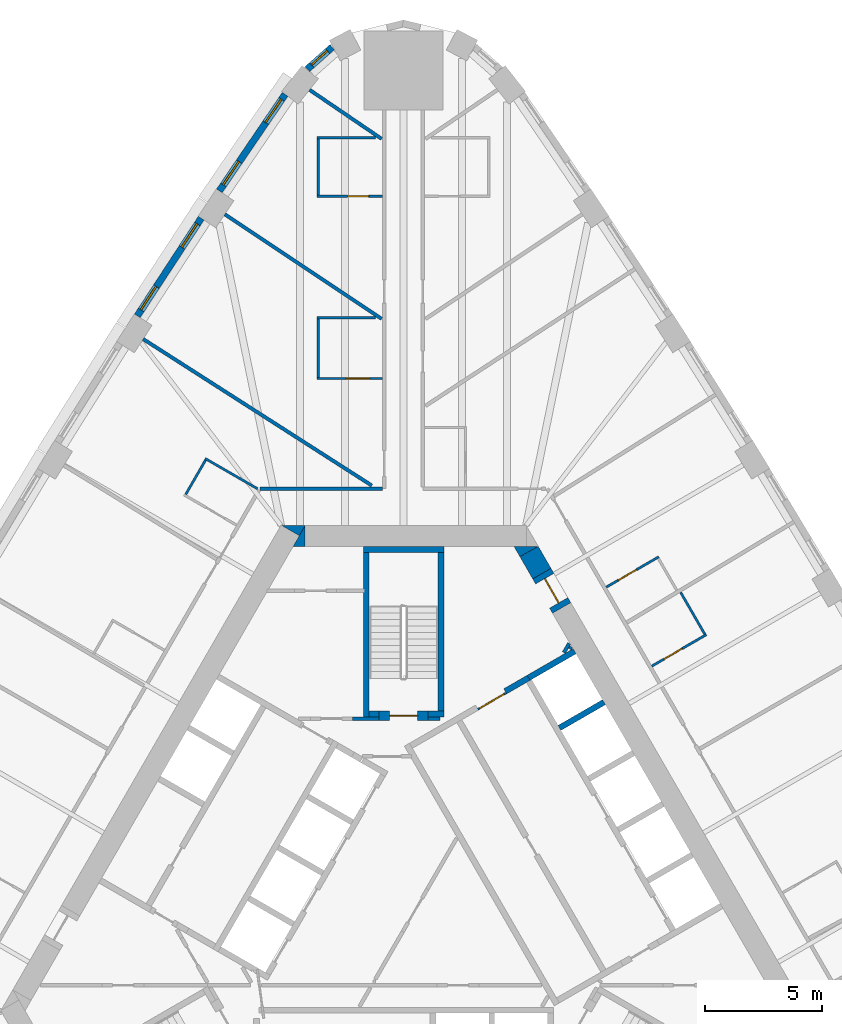
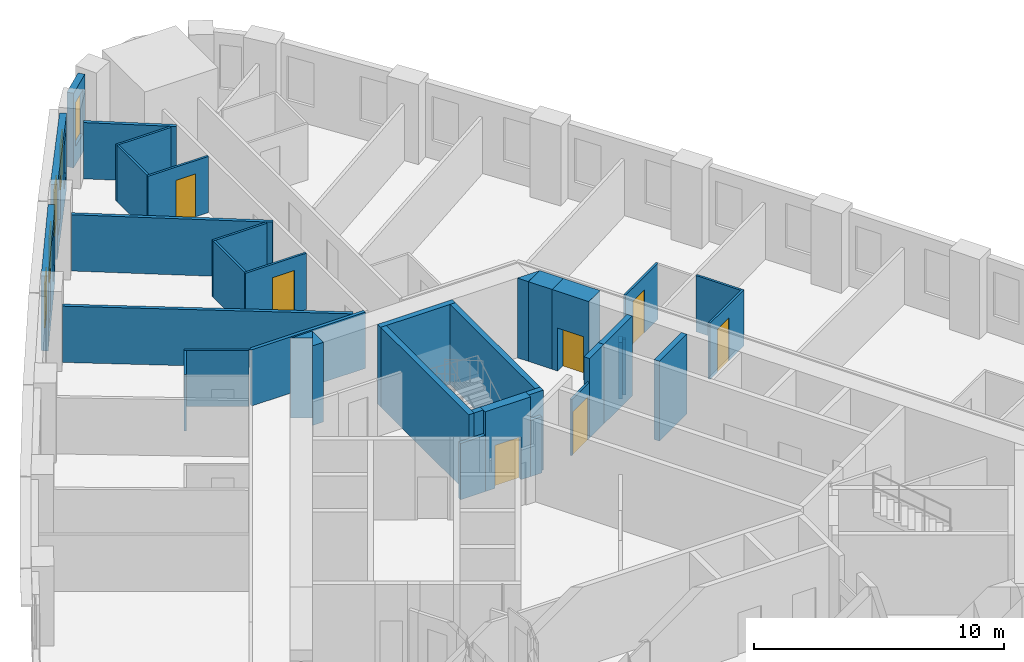
# One storey, part 10 of 13: 37 walls, 7 doors, 5 windows, 12 openings.
"""IFC4 building model written with IfcOpenShell, lengths in metres."""

import ifcopenshell
import ifcopenshell.guid

model = None  # the IFC model being written
_history = None  # IfcOwnerHistory: only IFC2X3 demands one
_inside = {}  # id of a spatial element -> (the spatial element, [elements in it])
_under = {}  # id of a project, library or spatial element -> (it, [spatial elements below it])
_declared = {}  # id of a project -> (the project, [libraries it declares])
_typed = {}  # id of a type object -> (the type object, [elements of that type])
_made_of = {}  # id of a material, layer set ... -> (it, [elements and type objects made of it])


def new_model(schema):
    """Start an empty IFC model of exactly this schema.

    Asked for "IFC4X3", IfcOpenShell would pick the latest addendum, in which some entities
    have other attributes; the version numbers below select the first issue.
    IFC2X3 requires an IfcOwnerHistory on every rooted entity: one is made here for all.
    """
    global model, _history
    if schema == "IFC4X3":
        model = ifcopenshell.file(schema_version=(4, 3, 0, 0))
    else:
        model = ifcopenshell.file(schema=schema)
    _inside.clear()
    _under.clear()
    _declared.clear()
    _typed.clear()
    _made_of.clear()
    _history = None
    if model.schema == "IFC2X3":
        org = make("IfcOrganization", Name="unknown")
        user = make(
            "IfcPersonAndOrganization",
            ThePerson=make("IfcPerson", FamilyName="unknown"),
            TheOrganization=org,
        )
        app = make(
            "IfcApplication",
            ApplicationDeveloper=org,
            Version="unknown",
            ApplicationFullName="unknown",
            ApplicationIdentifier="unknown",
        )
        _history = make(
            "IfcOwnerHistory",
            OwningUser=user,
            OwningApplication=app,
            ChangeAction="ADDED",
            CreationDate=0,
        )
    return model


def make(cls, **values):
    """One entity of the class cls with the attributes given. An attribute that is None is left unset."""
    return model.create_entity(
        cls, **{name: value for name, value in values.items() if value is not None}
    )


def rooted(cls, **values):
    """An entity with a GlobalId (a new one), such as an element, a storey or a relation."""
    return make(cls, GlobalId=ifcopenshell.guid.new(), OwnerHistory=_history, **values)


def si_unit(unit_type, name, prefix=None):
    """IfcSIUnit, for example si_unit("LENGTHUNIT", "METRE", prefix="MILLI")."""
    return make("IfcSIUnit", UnitType=unit_type, Prefix=prefix, Name=name)


def assignment(units):
    """IfcUnitAssignment: the units of a project."""
    return None if units is None else make("IfcUnitAssignment", Units=units)


def point(xyz):
    """IfcCartesianPoint."""
    return None if xyz is None else make("IfcCartesianPoint", Coordinates=xyz)


def direction(xyz):
    """IfcDirection."""
    return None if xyz is None else make("IfcDirection", DirectionRatios=xyz)


def frame(location, z_axis=None, x_axis=None):
    """IfcAxis2Placement3D, a coordinate frame: its origin and axes. An axis left out is left unset."""
    return make(
        "IfcAxis2Placement3D",
        Location=point(location),
        Axis=direction(z_axis),
        RefDirection=direction(x_axis),
    )


def frame_2d(location, x_axis=None):
    """IfcAxis2Placement2D, a coordinate frame in the plane: its origin and x axis."""
    return make(
        "IfcAxis2Placement2D", Location=point(location), RefDirection=direction(x_axis)
    )


def origin():
    """The frame at (0, 0, 0) with its axes left unset."""
    return frame((0.0, 0.0, 0.0))


def place(relative_to, where):
    """IfcLocalPlacement: puts the frame where relative to a parent placement (None: the world)."""
    return make(
        "IfcLocalPlacement", PlacementRelTo=relative_to, RelativePlacement=where
    )


def context(
    kind, dimensions, precision=None, world=None, true_north=None, identifier=None
):
    """IfcGeometricRepresentationContext, for example the 3D "Model" context."""
    return make(
        "IfcGeometricRepresentationContext",
        ContextIdentifier=identifier,
        ContextType=kind,
        CoordinateSpaceDimension=dimensions,
        Precision=precision,
        WorldCoordinateSystem=world,
        TrueNorth=true_north,
    )


def subcontext(parent, identifier, kind, view, scale=None):
    """IfcGeometricRepresentationSubContext, for example "Body" below "Model"."""
    return make(
        "IfcGeometricRepresentationSubContext",
        ContextIdentifier=identifier,
        ContextType=kind,
        ParentContext=parent,
        TargetScale=scale,
        TargetView=view,
    )


def project(units=None, contexts=None):
    """IfcProject with its units and contexts."""
    return rooted(
        "IfcProject",
        Name="project",
        RepresentationContexts=contexts,
        UnitsInContext=assignment(units),
    )


def spatial(cls, under=None, at=None, **own):
    """A site, building, storey or space (cls), placed at a placement, below another one or the project."""
    s = rooted(cls, ObjectPlacement=at, **own)
    if under is not None:
        _under.setdefault(under.id(), (under, []))[1].append(s)
    return s


def polyline(points):
    """IfcPolyline through the points."""
    return make("IfcPolyline", Points=[point(p) for p in points])


def profile(cls, at=None, kind="AREA", **sizes):
    """A parametric profile (cls). Its sizes go by their IFC names, for example OverallWidth=200.0."""
    return make(cls, ProfileType=kind, Position=at, **sizes)


def rectangle(**sizes):
    """IfcRectangleProfileDef."""
    return profile("IfcRectangleProfileDef", **sizes)


def outline(outer, holes=None, kind="AREA"):
    """IfcArbitraryClosedProfileDef: a profile drawn as a closed curve; with holes, ...WithVoids."""
    if holes is None:
        return make("IfcArbitraryClosedProfileDef", ProfileType=kind, OuterCurve=outer)
    return make(
        "IfcArbitraryProfileDefWithVoids",
        ProfileType=kind,
        OuterCurve=outer,
        InnerCurves=holes,
    )


def extrude(swept, where, along, depth):
    """IfcExtrudedAreaSolid: the profile swept, set in the frame where, extruded along a direction by depth."""
    return make(
        "IfcExtrudedAreaSolid",
        SweptArea=swept,
        Position=where,
        ExtrudedDirection=direction(along),
        Depth=depth,
    )


def shape(context_of_items, identifier, shape_type, items):
    """IfcShapeRepresentation: the items that make up one representation, for example the "Body"."""
    return make(
        "IfcShapeRepresentation",
        ContextOfItems=context_of_items,
        RepresentationIdentifier=identifier,
        RepresentationType=shape_type,
        Items=items,
    )


def material(Name=None, Category=None):
    """IfcMaterial."""
    return make("IfcMaterial", Name=Name, Category=Category)


def layer(
    of_material, thickness, ventilated=None, Name=None, Category=None, Priority=None
):
    """IfcMaterialLayer: one layer of a wall or slab, of a material (None: an air gap)."""
    return make(
        "IfcMaterialLayer",
        Material=of_material,
        LayerThickness=thickness,
        IsVentilated=ventilated,
        Name=Name,
        Category=Category,
        Priority=Priority,
    )


def layer_set(layers, Name=None):
    """IfcMaterialLayerSet."""
    return make("IfcMaterialLayerSet", MaterialLayers=layers, LayerSetName=Name)


def made_of(thing, what):
    """Note that an element or type object is made of a material, layer set ...; save() writes the relation."""
    if what is not None:
        _made_of.setdefault(what.id(), (what, []))[1].append(thing)
    return thing


def type_object(cls, material=None, **own):
    """A type object (cls), such as IfcWallType, which elements share."""
    return made_of(rooted(cls, **own), material)


def element(
    cls,
    number,
    at=None,
    inside=None,
    cuts=None,
    type_object=None,
    material=None,
    context=None,
    identifier="Body",
    shape_type=None,
    held_by="IfcProductDefinitionShape",
    body=None,
    shapes=None,
    **own,
):
    """One element of the class cls, such as IfcWall. Its Tag is "e" and its number.

    at: its placement. inside: the storey or other place that contains it. cuts: it is an
    opening in that element (IfcRelVoidsElement). A single representation is given by context,
    identifier, shape_type and body (its items); several are given by shapes. held_by: the class
    of the entity that holds the representations. save() writes the other relations.
    """
    e = rooted(cls, Tag="e%d" % number, ObjectPlacement=at, **own)
    if body is not None:
        shapes = [shape(context, identifier, shape_type, body)]
    if shapes is not None:
        e.Representation = make(held_by, Representations=shapes)
    if inside is not None:
        _inside.setdefault(inside.id(), (inside, []))[1].append(e)
    if cuts is not None:
        rooted(
            "IfcRelVoidsElement", RelatingBuildingElement=cuts, RelatedOpeningElement=e
        )
    if type_object is not None:
        _typed.setdefault(type_object.id(), (type_object, []))[1].append(e)
    return made_of(e, material)


def fill(opening, filler):
    """IfcRelFillsElement: the door or window that sits in an opening."""
    return rooted(
        "IfcRelFillsElement",
        RelatingOpeningElement=opening,
        RelatedBuildingElement=filler,
    )


def aggregate(whole, parts):
    """IfcRelAggregates: a whole, such as a stair, and the parts it consists of."""
    return rooted("IfcRelAggregates", RelatingObject=whole, RelatedObjects=parts)


def save(model, path):
    """Write the relations noted so far, then the file.

    IfcRelAggregates (storeys below a building ...), IfcRelContainedInSpatialStructure (elements
    in a storey), IfcRelDefinesByType, IfcRelAssociatesMaterial and IfcRelDeclares: one each for
    every whole, place, type object, material and project.
    """
    for whole, parts in _under.values():
        aggregate(whole, parts)
    for where, things in _inside.values():
        rooted(
            "IfcRelContainedInSpatialStructure",
            RelatedElements=things,
            RelatingStructure=where,
        )
    for kind, things in _typed.values():
        rooted("IfcRelDefinesByType", RelatedObjects=things, RelatingType=kind)
    for what, things in _made_of.values():
        rooted("IfcRelAssociatesMaterial", RelatedObjects=things, RelatingMaterial=what)
    for by, libraries in _declared.values():
        rooted("IfcRelDeclares", RelatingContext=by, RelatedDefinitions=libraries)
    model.write(path)


model = new_model("IFC4")

# Units and contexts
model_context = context("Model", 3, precision=1e-05, world=origin(), true_north=direction((0.0, 1.0)))
body_context = subcontext(model_context, "Body", "Model", "MODEL_VIEW")
ifc_project = project(units=[si_unit("LENGTHUNIT", "METRE"), si_unit("AREAUNIT", "SQUARE_METRE"), si_unit("VOLUMEUNIT", "CUBIC_METRE"), si_unit("PLANEANGLEUNIT", "RADIAN"), si_unit("MASSUNIT", "GRAM", prefix="KILO")], contexts=[model_context])

# Site, building, storey
site_placement = place(None, origin())
site = spatial("IfcSite", under=ifc_project, at=site_placement, CompositionType="ELEMENT")
building_placement = place(site_placement, origin())
building = spatial("IfcBuilding", under=site, at=building_placement, Name="Mestral Congress Tower", CompositionType="ELEMENT")
storey_placement = place(building_placement, frame((0.0, 0.0, 58.800048828125)))
storey = spatial("IfcBuildingStorey", under=building, at=storey_placement, Name="L13", CompositionType="ELEMENT", Elevation=58.800048828125)

# Walls
ifc_material_1 = material(Name="Fire-rated board partition")
ifc_layer_1 = layer(ifc_material_1, 0.14990234375)
ifc_layer_set_1 = layer_set([ifc_layer_1], Name="Fire-rated board partition")
wall_type_1 = type_object("IfcWallType", Name="Core partition 150", PredefinedType="PARTITIONING", material=ifc_layer_set_1)
wall_1_placement = place(storey_placement, frame((-2.1962890625, 8.62548828125, 0.0), z_axis=(0.0, 0.0, 1.0), x_axis=(1.0, 0.0, 0.0)))
element("IfcWall", 1, at=wall_1_placement, inside=storey, type_object=wall_type_1, Name="L13 core wall", PredefinedType="PARTITIONING", context=body_context, shape_type="SweptSolid", body=[
    extrude(rectangle(XDim=1.146240234375, YDim=0.14990234375, at=frame_2d((0.5732421875, 0.0))), origin(), (0.0, 0.0, 1.0), 2.75),
])
wall_2_placement = place(storey_placement, frame((1.050048828125, 8.62548828125, 0.0), z_axis=(0.0, 0.0, 1.0), x_axis=(1.0, 0.0, 0.0)))
element("IfcWall", 2, at=wall_2_placement, inside=storey, type_object=wall_type_1, Name="L13 core wall", PredefinedType="PARTITIONING", context=body_context, shape_type="SweptSolid", body=[
    extrude(rectangle(XDim=0.513916015625, YDim=0.14990234375, at=frame_2d((0.2568359375, 0.0))), origin(), (0.0, 0.0, 1.0), 2.75),
])
wall_3_placement = place(storey_placement, frame((6.87158203125, 11.44970703125, 0.0), z_axis=(0.0, 0.0, 1.0), x_axis=(0.499846793097, 0.866113839764, 0.0)))
element("IfcWall", 3, at=wall_3_placement, inside=storey, type_object=wall_type_1, Name="L13 core wall", PredefinedType="PARTITIONING", context=body_context, shape_type="SweptSolid", body=[
    extrude(rectangle(XDim=0.453369140625, YDim=0.14990234375, at=frame_2d((0.2265625, 0.0))), origin(), (0.0, 0.0, 1.0), 2.75),
])
wall_4_placement = place(storey_placement, frame((7.13134765625, 11.599609375, 0.0), z_axis=(0.0, 0.0, 1.0), x_axis=(0.498600033135, 0.866832167699, 0.0)))
element("IfcWall", 4, at=wall_4_placement, inside=storey, type_object=wall_type_1, Name="L13 core wall", PredefinedType="PARTITIONING", context=body_context, shape_type="SweptSolid", body=[
    extrude(rectangle(XDim=0.106689453125, YDim=0.14990234375, at=frame_2d((0.05322265625, 0.0))), origin(), (0.0, 0.0, 1.0), 2.75),
])

# Wall, opening, door
ifc_layer_2 = layer(ifc_material_1, 0.090087890625)
ifc_layer_set_2 = layer_set([ifc_layer_2], Name="Fire-rated board partition")
wall_type_2 = type_object("IfcWallType", Name="Core partition 150 door-wall 90", PredefinedType="PARTITIONING", material=ifc_layer_set_2)
wall_5_placement = place(storey_placement, frame((3.182861328125, 9.02001953125, 0.0), z_axis=(0.0, 0.0, 1.0), x_axis=(0.866034573852, 0.49998411664, 0.0)))
wall_5 = element("IfcWall", 5, at=wall_5_placement, inside=storey, type_object=wall_type_2, Name="L13 door wall", PredefinedType="PARTITIONING", context=body_context, shape_type="SweptSolid", body=[
    extrude(rectangle(XDim=1.39990234375, YDim=0.090087890625, at=frame_2d((0.699951171875, 0.0))), origin(), (0.0, 0.0, 1.0), 2.75),
])
opening_1_placement = place(wall_5_placement, frame((0.10009765625, 0.0, 0.0)))
opening_1 = element("IfcOpeningElement", 6, at=opening_1_placement, cuts=wall_5, Name="Opening LB1-WL2", PredefinedType="OPENING", context=body_context, shape_type="SweptSolid", body=[
    extrude(rectangle(XDim=1.199951171875, YDim=2.10009765625, at=frame_2d((0.60009765625, 1.050048828125))), frame((0.0, 0.054931640625, 0.0), z_axis=(0.0, -1.0, 0.0), x_axis=(1.0, 0.0, 0.0)), (0.0, 0.0, 1.0), 0.110107421875),
])
ifc_material_2 = material(Name="Fire-rated steel door set", Category="steel")
door_type_1 = type_object("IfcDoorType", Name="Core door LB 1200x2100", OperationType="SINGLE_SWING_LEFT", PredefinedType="DOOR", material=ifc_material_2)
door_1_placement = place(opening_1_placement, origin())
door_1 = element("IfcDoor", 7, at=door_1_placement, inside=storey, type_object=door_type_1, Name="Door LB1-WL2", OperationType="SINGLE_SWING_LEFT", OverallHeight=2.10009765625, OverallWidth=1.199951171875, PredefinedType="DOOR", context=body_context, shape_type="SweptSolid", body=[
    extrude(rectangle(XDim=1.199951171875, YDim=2.10009765625, at=frame_2d((0.60009765625, 1.050048828125))), frame((0.0, 0.02490234375, 0.0), z_axis=(0.0, -1.0, 0.0), x_axis=(1.0, 0.0, 0.0)), (0.0, 0.0, 1.0), 0.050048828125),
])
fill(opening_1, door_1)

# Walls
ifc_material_3 = material(Name="Concrete C60/75", Category="concrete")
ifc_layer_3 = layer(ifc_material_3, 0.89990234375)
ifc_layer_set_3 = layer_set([ifc_layer_3], Name="Concrete C60/75")
wall_type_3 = type_object("IfcWallType", Name="Core wall RC 900", PredefinedType="SOLIDWALL", material=ifc_layer_set_3)
placement = place(storey_placement, origin())
element("IfcWall", 8, at=placement, inside=storey, type_object=wall_type_3, Name="L13 core wall", PredefinedType="SOLIDWALL", context=body_context, shape_type="SweptSolid", body=[
    extrude(outline(polyline([(-4.214599609375, 16.89990234375), (-4.46875, 16.460205078125), (-5.230712890625, 16.89990234375), (-4.214599609375, 16.89990234375)])), origin(), (0.0, 0.0, 1.0), 3.89990234375),
])
element("IfcWall", 9, at=placement, inside=storey, type_object=wall_type_3, Name="L13 core wall", PredefinedType="SOLIDWALL", context=body_context, shape_type="SweptSolid", body=[
    extrude(outline(polyline([(-4.734375, 16.0), (-4.226318359375, 16.8798828125), (-4.226318359375, 16.0), (-4.734375, 16.0)])), origin(), (0.0, 0.0, 1.0), 3.89990234375),
])
wall_8_placement = place(storey_placement, frame((5.92578125, 14.836181640625, 0.0), z_axis=(0.0, 0.0, 1.0), x_axis=(-0.500076735116, 0.865981096212, 0.0)))
element("IfcWall", 10, at=wall_8_placement, inside=storey, type_object=wall_type_3, Name="L13 core wall", PredefinedType="SOLIDWALL", context=body_context, shape_type="SweptSolid", body=[
    extrude(rectangle(XDim=1.093505859375, YDim=0.89990234375, at=frame_2d((0.546875, 0.0))), origin(), (0.0, 0.0, 1.0), 3.89990234375),
])
element("IfcWall", 11, at=placement, inside=storey, type_object=wall_type_3, Name="L13 core wall", PredefinedType="SOLIDWALL", context=body_context, shape_type="SweptSolid", body=[
    extrude(outline(polyline([(4.734375, 16.0), (5.750244140625, 16.0), (4.98828125, 15.56005859375), (4.734375, 16.0)])), origin(), (0.0, 0.0, 1.0), 3.89990234375),
])

# Wall, opening, door
wall_10_placement = place(storey_placement, frame((5.92578125, 14.836181640625, 0.0), z_axis=(0.0, 0.0, 1.0), x_axis=(0.500062241894, -0.865989465428, 0.0)))
wall_10 = element("IfcWall", 12, at=wall_10_placement, inside=storey, type_object=wall_type_3, Name="L13 door wall", PredefinedType="SOLIDWALL", context=body_context, shape_type="SweptSolid", body=[
    extrude(rectangle(XDim=1.699951171875, YDim=0.89990234375, at=frame_2d((0.85009765625, 0.0))), origin(), (0.0, 0.0, 1.0), 3.89990234375),
])
opening_2_placement = place(wall_10_placement, frame((0.25, 0.0, 0.0)))
opening_2 = element("IfcOpeningElement", 13, at=opening_2_placement, cuts=wall_10, Name="Opening XD2", PredefinedType="OPENING", context=body_context, shape_type="SweptSolid", body=[
    extrude(rectangle(XDim=1.199951171875, YDim=2.10009765625, at=frame_2d((0.60009765625, 1.050048828125))), frame((0.0, 0.4599609375, 0.0), z_axis=(0.0, -1.0, 0.0), x_axis=(1.0, 0.0, 0.0)), (0.0, 0.0, 1.0), 0.919921875),
])
door_type_2 = type_object("IfcDoorType", Name="Core door XD 1200x2100", OperationType="SINGLE_SWING_LEFT", PredefinedType="DOOR", material=ifc_material_2)
door_2_placement = place(opening_2_placement, origin())
door_2 = element("IfcDoor", 14, at=door_2_placement, inside=storey, type_object=door_type_2, Name="Door XD2", OperationType="SINGLE_SWING_LEFT", OverallHeight=2.10009765625, OverallWidth=1.199951171875, PredefinedType="DOOR", context=body_context, shape_type="SweptSolid", body=[
    extrude(rectangle(XDim=1.199951171875, YDim=2.10009765625, at=frame_2d((0.60009765625, 1.050048828125))), frame((0.0, 0.02490234375, 0.0), z_axis=(0.0, -1.0, 0.0), x_axis=(1.0, 0.0, 0.0)), (0.0, 0.0, 1.0), 0.050048828125),
])
fill(opening_2, door_2)

# Wall, opening, window
ifc_material_4 = material(Name="Precast concrete C40/50 with limestone facing", Category="masonry")
ifc_layer_4 = layer(ifc_material_4, 0.2900390625)
ifc_layer_set_4 = layer_set([ifc_layer_4], Name="Precast concrete C40/50 with limestone facing")
wall_type_4 = type_object("IfcWallType", Name="Facade stone wall 290", PredefinedType="SOLIDWALL", material=ifc_layer_set_4)
wall_11_placement = place(storey_placement, frame((-3.064453125, 37.395263671875, 0.0), z_axis=(0.0, 0.0, 1.0), x_axis=(-0.749812680302, -0.661650167731, 0.0)))
wall_11 = element("IfcWall", 15, at=wall_11_placement, inside=storey, type_object=wall_type_4, Name="Facade wall K1-3", PredefinedType="SOLIDWALL", context=body_context, shape_type="SweptSolid", body=[
    extrude(rectangle(XDim=1.4150390625, YDim=0.2900390625, at=frame_2d((0.70751953125, 0.0))), origin(), (0.0, 0.0, 1.0), 3.64990234375),
])
opening_3_placement = place(wall_11_placement, frame((0.257568359375, 0.0, 0.89990234375)))
opening_3 = element("IfcOpeningElement", 16, at=opening_3_placement, cuts=wall_11, Name="Opening W3", PredefinedType="OPENING", context=body_context, shape_type="SweptSolid", body=[
    extrude(rectangle(XDim=0.89990234375, YDim=2.14990234375, at=frame_2d((0.449951171875, 1.074951171875))), frame((0.0, 0.155029296875, 0.0), z_axis=(0.0, -1.0, 0.0), x_axis=(1.0, 0.0, 0.0)), (0.0, 0.0, 1.0), 0.31005859375),
])
ifc_material_5 = material(Name="Clear low-emissivity double glazing", Category="glass")
window_type_1 = type_object("IfcWindowType", Name="Facade punched window 900 x 2150 sill 900", PartitioningType="SINGLE_PANEL", PredefinedType="WINDOW", material=ifc_material_5)
window_1_placement = place(opening_3_placement, origin())
window_1 = element("IfcWindow", 17, at=window_1_placement, inside=storey, type_object=window_type_1, Name="Window K1-3", OverallHeight=2.14990234375, OverallWidth=0.89990234375, PartitioningType="SINGLE_PANEL", PredefinedType="WINDOW", context=body_context, shape_type="SweptSolid", body=[
    extrude(rectangle(XDim=0.89990234375, YDim=2.14990234375, at=frame_2d((0.449951171875, 1.074951171875))), frame((0.0, 0.01513671875, 0.0), z_axis=(0.0, -1.0, 0.0), x_axis=(1.0, 0.0, 0.0)), (0.0, 0.0, 1.0), 0.06005859375),
])
fill(opening_3, window_1)

# Wall, openings, windows
wall_12_placement = place(storey_placement, frame((-5.078369140625, 35.37646484375, 0.0), z_axis=(0.0, 0.0, 1.0), x_axis=(-0.562610153679, -0.826722332454, 0.0)))
wall_12 = element("IfcWall", 18, at=wall_12_placement, inside=storey, type_object=wall_type_4, Name="Facade wall F2-00", PredefinedType="SOLIDWALL", context=body_context, shape_type="SweptSolid", body=[
    extrude(rectangle(XDim=5.005615234375, YDim=0.2900390625, at=frame_2d((2.5029296875, 0.0))), origin(), (0.0, 0.0, 1.0), 3.64990234375),
])
opening_4_placement = place(wall_12_placement, frame((0.26513671875, 0.0, 0.89990234375)))
opening_4 = element("IfcOpeningElement", 19, at=opening_4_placement, cuts=wall_12, Name="Opening W1", PredefinedType="OPENING", context=body_context, shape_type="SweptSolid", body=[
    extrude(rectangle(XDim=1.199951171875, YDim=2.14990234375, at=frame_2d((0.60009765625, 1.074951171875))), frame((0.0, 0.155029296875, 0.0), z_axis=(0.0, -1.0, 0.0), x_axis=(1.0, 0.0, 0.0)), (0.0, 0.0, 1.0), 0.31005859375),
])
opening_5_placement = place(wall_12_placement, frame((3.495361328125, 0.0, 0.89990234375)))
opening_5 = element("IfcOpeningElement", 20, at=opening_5_placement, cuts=wall_12, Name="Opening W1", PredefinedType="OPENING", context=body_context, shape_type="SweptSolid", body=[
    extrude(rectangle(XDim=1.199951171875, YDim=2.14990234375, at=frame_2d((0.60009765625, 1.074951171875))), frame((0.0, 0.155029296875, 0.0), z_axis=(0.0, -1.0, 0.0), x_axis=(1.0, 0.0, 0.0)), (0.0, 0.0, 1.0), 0.31005859375),
])
window_type_2 = type_object("IfcWindowType", Name="Facade punched window 1200 x 2150 sill 900", PartitioningType="DOUBLE_PANEL_VERTICAL", PredefinedType="WINDOW", material=ifc_material_5)
window_2_placement = place(opening_4_placement, origin())
window_2 = element("IfcWindow", 21, at=window_2_placement, inside=storey, type_object=window_type_2, Name="Window F2-00a", OverallHeight=2.14990234375, OverallWidth=1.199951171875, PartitioningType="DOUBLE_PANEL_VERTICAL", PredefinedType="WINDOW", context=body_context, shape_type="SweptSolid", body=[
    extrude(rectangle(XDim=1.199951171875, YDim=2.14990234375, at=frame_2d((0.60009765625, 1.074951171875))), frame((0.0, 0.01513671875, 0.0), z_axis=(0.0, -1.0, 0.0), x_axis=(1.0, 0.0, 0.0)), (0.0, 0.0, 1.0), 0.06005859375),
])
fill(opening_4, window_2)
window_3_placement = place(opening_5_placement, origin())
window_3 = element("IfcWindow", 22, at=window_3_placement, inside=storey, type_object=window_type_2, Name="Window F2-00b", OverallHeight=2.14990234375, OverallWidth=1.199951171875, PartitioningType="DOUBLE_PANEL_VERTICAL", PredefinedType="WINDOW", context=body_context, shape_type="SweptSolid", body=[
    extrude(rectangle(XDim=1.199951171875, YDim=2.14990234375, at=frame_2d((0.60009765625, 1.074951171875))), frame((0.0, 0.01513671875, 0.0), z_axis=(0.0, -1.0, 0.0), x_axis=(1.0, 0.0, 0.0)), (0.0, 0.0, 1.0), 0.06005859375),
])
fill(opening_5, window_3)

wall_13_placement = place(storey_placement, frame((-8.675537109375, 30.067626953125, 0.0), z_axis=(0.0, 0.0, 1.0), x_axis=(-0.547204617628, -0.836998868845, 0.0)))
wall_13 = element("IfcWall", 23, at=wall_13_placement, inside=storey, type_object=wall_type_4, Name="Facade wall F2-01", PredefinedType="SOLIDWALL", context=body_context, shape_type="SweptSolid", body=[
    extrude(rectangle(XDim=4.998291015625, YDim=0.2900390625, at=frame_2d((2.4990234375, 0.0))), origin(), (0.0, 0.0, 1.0), 3.64990234375),
])
opening_6_placement = place(wall_13_placement, frame((0.297119140625, 0.0, 0.89990234375)))
opening_6 = element("IfcOpeningElement", 24, at=opening_6_placement, cuts=wall_13, Name="Opening W1", PredefinedType="OPENING", context=body_context, shape_type="SweptSolid", body=[
    extrude(rectangle(XDim=1.199951171875, YDim=2.14990234375, at=frame_2d((0.60009765625, 1.074951171875))), frame((0.0, 0.155029296875, 0.0), z_axis=(0.0, -1.0, 0.0), x_axis=(1.0, 0.0, 0.0)), (0.0, 0.0, 1.0), 0.31005859375),
])
opening_7_placement = place(wall_13_placement, frame((3.501220703125, 0.0, 0.89990234375)))
opening_7 = element("IfcOpeningElement", 25, at=opening_7_placement, cuts=wall_13, Name="Opening W1", PredefinedType="OPENING", context=body_context, shape_type="SweptSolid", body=[
    extrude(rectangle(XDim=1.199951171875, YDim=2.14990234375, at=frame_2d((0.60009765625, 1.074951171875))), frame((0.0, 0.155029296875, 0.0), z_axis=(0.0, -1.0, 0.0), x_axis=(1.0, 0.0, 0.0)), (0.0, 0.0, 1.0), 0.31005859375),
])
window_4_placement = place(opening_6_placement, origin())
window_4 = element("IfcWindow", 26, at=window_4_placement, inside=storey, type_object=window_type_2, Name="Window F2-01a", OverallHeight=2.14990234375, OverallWidth=1.199951171875, PartitioningType="DOUBLE_PANEL_VERTICAL", PredefinedType="WINDOW", context=body_context, shape_type="SweptSolid", body=[
    extrude(rectangle(XDim=1.199951171875, YDim=2.14990234375, at=frame_2d((0.60009765625, 1.074951171875))), frame((0.0, 0.01513671875, 0.0), z_axis=(0.0, -1.0, 0.0), x_axis=(1.0, 0.0, 0.0)), (0.0, 0.0, 1.0), 0.06005859375),
])
fill(opening_6, window_4)
window_5_placement = place(opening_7_placement, origin())
window_5 = element("IfcWindow", 27, at=window_5_placement, inside=storey, type_object=window_type_2, Name="Window F2-01b", OverallHeight=2.14990234375, OverallWidth=1.199951171875, PartitioningType="DOUBLE_PANEL_VERTICAL", PredefinedType="WINDOW", context=body_context, shape_type="SweptSolid", body=[
    extrude(rectangle(XDim=1.199951171875, YDim=2.14990234375, at=frame_2d((0.60009765625, 1.074951171875))), frame((0.0, 0.01513671875, 0.0), z_axis=(0.0, -1.0, 0.0), x_axis=(1.0, 0.0, 0.0)), (0.0, 0.0, 1.0), 0.06005859375),
])
fill(opening_7, window_5)

# Wall, opening, door
ifc_material_6 = material(Name="Gypsum board partition on metal studs with mineral wool", Category="composite")
ifc_layer_5 = layer(ifc_material_6, 0.10009765625)
ifc_layer_set_5 = layer_set([ifc_layer_5], Name="Gypsum board partition on metal studs with mineral wool")
wall_type_5 = type_object("IfcWallType", Name="Hotel partition wall 100", PredefinedType="PARTITIONING", material=ifc_layer_set_5)
wall_14_placement = place(storey_placement, frame((10.640380859375, 10.87060546875, 0.0), z_axis=(0.0, 0.0, 1.0), x_axis=(0.866036505625, 0.499980770555, 0.0)))
wall_14 = element("IfcWall", 28, at=wall_14_placement, inside=storey, type_object=wall_type_5, Name="L13-h-pod13a", PredefinedType="PARTITIONING", context=body_context, shape_type="SweptSolid", body=[
    extrude(rectangle(XDim=2.69970703125, YDim=0.10009765625, at=frame_2d((1.349853515625, 0.0))), origin(), (0.0, 0.0, 1.0), 2.75),
])
opening_8_placement = place(wall_14_placement, frame((0.60009765625, 0.0, 0.0)))
opening_8 = element("IfcOpeningElement", 29, at=opening_8_placement, cuts=wall_14, Name="Opening H03-026", PredefinedType="OPENING", context=body_context, shape_type="SweptSolid", body=[
    extrude(rectangle(XDim=0.89990234375, YDim=2.10009765625, at=frame_2d((0.449951171875, 1.050048828125))), frame((0.0, 0.06005859375, 0.0), z_axis=(0.0, -1.0, 0.0), x_axis=(1.0, 0.0, 0.0)), (0.0, 0.0, 1.0), 0.1201171875),
])
ifc_material_7 = material(Name="Timber veneer door leaf in timber frame", Category="wood")
door_type_3 = type_object("IfcDoorType", Name="Bathroom door 900", OperationType="SINGLE_SWING_LEFT", PredefinedType="DOOR", material=ifc_material_7)
door_3_placement = place(opening_8_placement, origin())
door_3 = element("IfcDoor", 30, at=door_3_placement, inside=storey, type_object=door_type_3, Name="L13-h-d026", OperationType="SINGLE_SWING_LEFT", OverallHeight=2.10009765625, OverallWidth=0.89990234375, PredefinedType="DOOR", context=body_context, shape_type="SweptSolid", body=[
    extrude(rectangle(XDim=0.89990234375, YDim=2.10009765625, at=frame_2d((0.449951171875, 1.050048828125))), frame((0.0, 0.02490234375, 0.0), z_axis=(0.0, -1.0, 0.0), x_axis=(1.0, 0.0, 0.0)), (0.0, 0.0, 1.0), 0.050048828125),
])
fill(opening_8, door_3)

# Wall
wall_15_placement = place(storey_placement, frame((12.91015625, 12.23876953125, 0.0), z_axis=(0.0, 0.0, 1.0), x_axis=(-0.499957272447, 0.866050071143, 0.0)))
element("IfcWall", 31, at=wall_15_placement, inside=storey, type_object=wall_type_5, Name="L13-h-pod13b", PredefinedType="PARTITIONING", context=body_context, shape_type="SweptSolid", body=[
    extrude(rectangle(XDim=2.070068359375, YDim=0.10009765625, at=frame_2d((1.03515625, 0.0))), origin(), (0.0, 0.0, 1.0), 2.75),
])

# Wall, opening, door
wall_16_placement = place(storey_placement, frame((10.938232421875, 15.55419921875, 0.0), z_axis=(0.0, 0.0, 1.0), x_axis=(-0.866062058628, -0.499936506574, 0.0)))
wall_16 = element("IfcWall", 32, at=wall_16_placement, inside=storey, type_object=wall_type_5, Name="L13-h-pod14a", PredefinedType="PARTITIONING", context=body_context, shape_type="SweptSolid", body=[
    extrude(rectangle(XDim=2.599853515625, YDim=0.10009765625, at=frame_2d((1.2998046875, 0.0))), origin(), (0.0, 0.0, 1.0), 2.75),
])
opening_9_placement = place(wall_16_placement, frame((1.10009765625, 0.0, 0.0)))
opening_9 = element("IfcOpeningElement", 33, at=opening_9_placement, cuts=wall_16, Name="Opening H03-028", PredefinedType="OPENING", context=body_context, shape_type="SweptSolid", body=[
    extrude(rectangle(XDim=0.89990234375, YDim=2.10009765625, at=frame_2d((0.449951171875, 1.050048828125))), frame((0.0, 0.06005859375, 0.0), z_axis=(0.0, -1.0, 0.0), x_axis=(1.0, 0.0, 0.0)), (0.0, 0.0, 1.0), 0.1201171875),
])
door_4_placement = place(opening_9_placement, origin())
door_4 = element("IfcDoor", 34, at=door_4_placement, inside=storey, type_object=door_type_3, Name="L13-h-d028", OperationType="SINGLE_SWING_LEFT", OverallHeight=2.10009765625, OverallWidth=0.89990234375, PredefinedType="DOOR", context=body_context, shape_type="SweptSolid", body=[
    extrude(rectangle(XDim=0.89990234375, YDim=2.10009765625, at=frame_2d((0.449951171875, 1.050048828125))), frame((0.0, 0.02490234375, 0.0), z_axis=(0.0, -1.0, 0.0), x_axis=(1.0, 0.0, 0.0)), (0.0, 0.0, 1.0), 0.050048828125),
])
fill(opening_9, door_4)

wall_17_placement = place(storey_placement, frame((-3.699951171875, 31.008544921875, 0.0), z_axis=(0.0, 0.0, 1.0), x_axis=(1.0, 0.0, 0.0)))
wall_17 = element("IfcWall", 35, at=wall_17_placement, inside=storey, type_object=wall_type_5, Name="L13-h-pod18a", PredefinedType="PARTITIONING", context=body_context, shape_type="SweptSolid", body=[
    extrude(rectangle(XDim=2.800048828125, YDim=0.10009765625, at=frame_2d((1.39990234375, 0.0))), origin(), (0.0, 0.0, 1.0), 2.75),
])
opening_10_placement = place(wall_17_placement, frame((1.300048828125, 0.0, 0.0)))
opening_10 = element("IfcOpeningElement", 36, at=opening_10_placement, cuts=wall_17, Name="Opening H03-035", PredefinedType="OPENING", context=body_context, shape_type="SweptSolid", body=[
    extrude(rectangle(XDim=0.89990234375, YDim=2.10009765625, at=frame_2d((0.449951171875, 1.050048828125))), frame((0.0, 0.06005859375, 0.0), z_axis=(0.0, -1.0, 0.0), x_axis=(1.0, 0.0, 0.0)), (0.0, 0.0, 1.0), 0.1201171875),
])
door_5_placement = place(opening_10_placement, origin())
door_5 = element("IfcDoor", 37, at=door_5_placement, inside=storey, type_object=door_type_3, Name="L13-h-d035", OperationType="SINGLE_SWING_RIGHT", OverallHeight=2.10009765625, OverallWidth=0.89990234375, PredefinedType="DOOR", context=body_context, shape_type="SweptSolid", body=[
    extrude(rectangle(XDim=0.89990234375, YDim=2.10009765625, at=frame_2d((0.449951171875, 1.050048828125))), frame((0.0, 0.02490234375, 0.0), z_axis=(0.0, -1.0, 0.0), x_axis=(1.0, 0.0, 0.0)), (0.0, 0.0, 1.0), 0.050048828125),
])
fill(opening_10, door_5)

# Walls
wall_18_placement = place(storey_placement, frame((-3.64990234375, 31.05859375, 0.0), z_axis=(0.0, 0.0, 1.0), x_axis=(0.0, 1.0, 0.0)))
element("IfcWall", 38, at=wall_18_placement, inside=storey, type_object=wall_type_5, Name="L13-h-pod18b", PredefinedType="PARTITIONING", context=body_context, shape_type="SweptSolid", body=[
    extrude(rectangle(XDim=2.39990234375, YDim=0.10009765625, at=frame_2d((1.199951171875, 0.0))), origin(), (0.0, 0.0, 1.0), 2.75),
])
wall_19_placement = place(storey_placement, frame((-1.199951171875, 33.508544921875, 0.0), z_axis=(0.0, 0.0, 1.0), x_axis=(-1.0, 0.0, 0.0)))
element("IfcWall", 39, at=wall_19_placement, inside=storey, type_object=wall_type_5, Name="L13-h-pod18c", PredefinedType="PARTITIONING", context=body_context, shape_type="SweptSolid", body=[
    extrude(rectangle(XDim=2.5, YDim=0.10009765625, at=frame_2d((1.25, 0.0))), origin(), (0.0, 0.0, 1.0), 2.75),
])

# Wall, opening, door
wall_20_placement = place(storey_placement, frame((-3.699951171875, 23.194580078125, 0.0), z_axis=(0.0, 0.0, 1.0), x_axis=(1.0, 0.0, 0.0)))
wall_20 = element("IfcWall", 40, at=wall_20_placement, inside=storey, type_object=wall_type_5, Name="L13-h-pod19a", PredefinedType="PARTITIONING", context=body_context, shape_type="SweptSolid", body=[
    extrude(rectangle(XDim=2.800048828125, YDim=0.10009765625, at=frame_2d((1.39990234375, 0.0))), origin(), (0.0, 0.0, 1.0), 2.75),
])
opening_11_placement = place(wall_20_placement, frame((1.25, 0.0, 0.0)))
opening_11 = element("IfcOpeningElement", 41, at=opening_11_placement, cuts=wall_20, Name="Opening H03-037", PredefinedType="OPENING", context=body_context, shape_type="SweptSolid", body=[
    extrude(rectangle(XDim=1.0, YDim=2.10009765625, at=frame_2d((0.5, 1.050048828125))), frame((0.0, 0.06005859375, 0.0), z_axis=(0.0, -1.0, 0.0), x_axis=(1.0, 0.0, 0.0)), (0.0, 0.0, 1.0), 0.1201171875),
])
door_type_4 = type_object("IfcDoorType", Name="Accessible bathroom door 1000", OperationType="SINGLE_SWING_LEFT", PredefinedType="DOOR", material=ifc_material_7)
door_6_placement = place(opening_11_placement, origin())
door_6 = element("IfcDoor", 42, at=door_6_placement, inside=storey, type_object=door_type_4, Name="L13-h-d037", OperationType="SINGLE_SWING_LEFT", OverallHeight=2.10009765625, OverallWidth=1.0, PredefinedType="DOOR", context=body_context, shape_type="SweptSolid", body=[
    extrude(rectangle(XDim=1.0, YDim=2.10009765625, at=frame_2d((0.5, 1.050048828125))), frame((0.0, 0.02490234375, 0.0), z_axis=(0.0, -1.0, 0.0), x_axis=(1.0, 0.0, 0.0)), (0.0, 0.0, 1.0), 0.050048828125),
])
fill(opening_11, door_6)

# Walls
wall_21_placement = place(storey_placement, frame((-3.64990234375, 23.24462890625, 0.0), z_axis=(0.0, 0.0, 1.0), x_axis=(0.0, 1.0, 0.0)))
element("IfcWall", 43, at=wall_21_placement, inside=storey, type_object=wall_type_5, Name="L13-h-pod19b", PredefinedType="PARTITIONING", context=body_context, shape_type="SweptSolid", body=[
    extrude(rectangle(XDim=2.5, YDim=0.10009765625, at=frame_2d((1.25, 0.0))), origin(), (0.0, 0.0, 1.0), 2.75),
])
wall_22_placement = place(storey_placement, frame((-1.2099609375, 25.794677734375, 0.0), z_axis=(0.0, 0.0, 1.0), x_axis=(-1.0, 0.0, 0.0)))
element("IfcWall", 44, at=wall_22_placement, inside=storey, type_object=wall_type_5, Name="L13-h-pod19c", PredefinedType="PARTITIONING", context=body_context, shape_type="SweptSolid", body=[
    extrude(rectangle(XDim=2.489990234375, YDim=0.10009765625, at=frame_2d((1.2451171875, 0.0))), origin(), (0.0, 0.0, 1.0), 2.75),
])
wall_23_placement = place(storey_placement, frame((-9.33642578125, 18.228759765625, 0.0), z_axis=(0.0, 0.0, 1.0), x_axis=(0.499954529098, 0.86605165483, 0.0)))
element("IfcWall", 45, at=wall_23_placement, inside=storey, type_object=wall_type_5, Name="L13-h-pod20b", PredefinedType="PARTITIONING", context=body_context, shape_type="SweptSolid", body=[
    extrude(rectangle(XDim=1.699951171875, YDim=0.10009765625, at=frame_2d((0.85009765625, 0.0))), origin(), (0.0, 0.0, 1.0), 2.75),
])
wall_24_placement = place(storey_placement, frame((-6.253173828125, 18.46923828125, 0.0), z_axis=(0.0, 0.0, 1.0), x_axis=(-0.866021400173, 0.500006934395, 0.0)))
element("IfcWall", 46, at=wall_24_placement, inside=storey, type_object=wall_type_5, Name="L13-h-pod20c", PredefinedType="PARTITIONING", context=body_context, shape_type="SweptSolid", body=[
    extrude(rectangle(XDim=2.60009765625, YDim=0.10009765625, at=frame_2d((1.300048828125, 0.0))), origin(), (0.0, 0.0, 1.0), 2.75),
])
ifc_layer_6 = layer(ifc_material_6, 0.14990234375)
ifc_layer_set_6 = layer_set([ifc_layer_6], Name="Gypsum board partition on metal studs with mineral wool")
wall_type_6 = type_object("IfcWallType", Name="Hotel partition wall 150", PredefinedType="PARTITIONING", material=ifc_layer_set_6)
wall_25_placement = place(storey_placement, frame((-6.1630859375, 18.47509765625, 0.0), z_axis=(0.0, 0.0, 1.0), x_axis=(1.0, 0.0, 0.0)))
element("IfcWall", 47, at=wall_25_placement, inside=storey, type_object=wall_type_6, Name="L13-h-cw07", PredefinedType="PARTITIONING", context=body_context, shape_type="SweptSolid", body=[
    extrude(rectangle(XDim=5.258056640625, YDim=0.14990234375, at=frame_2d((2.62890625, 0.0))), origin(), (0.0, 0.0, 1.0), 2.75),
])
wall_26_placement = place(storey_placement, frame((-4.02783203125, 35.56884765625, 0.0), z_axis=(0.0, 0.0, 1.0), x_axis=(0.826700206326, -0.56264266534, 0.0)))
element("IfcWall", 48, at=wall_26_placement, inside=storey, type_object=wall_type_6, Name="L13-h-pw11", PredefinedType="PARTITIONING", context=body_context, shape_type="SweptSolid", body=[
    extrude(rectangle(XDim=3.7333984375, YDim=0.14990234375, at=frame_2d((1.86669921875, 0.0))), origin(), (0.0, 0.0, 1.0), 2.75),
])
wall_27_placement = place(storey_placement, frame((-11.16015625, 24.887939453125, 0.0), z_axis=(0.0, 0.0, 1.0), x_axis=(0.84199813156, -0.539480441211, 0.0)))
element("IfcWall", 49, at=wall_27_placement, inside=storey, type_object=wall_type_6, Name="L13-h-pw12", PredefinedType="PARTITIONING", context=body_context, shape_type="SweptSolid", body=[
    extrude(rectangle(XDim=11.63818359375, YDim=0.14990234375, at=frame_2d((5.819091796875, 0.0))), origin(), (0.0, 0.0, 1.0), 2.75),
])
wall_28_placement = place(storey_placement, frame((-7.662353515625, 30.237548828125, 0.0), z_axis=(0.0, 0.0, 1.0), x_axis=(0.831882886825, -0.554951225431, 0.0)))
element("IfcWall", 50, at=wall_28_placement, inside=storey, type_object=wall_type_6, Name="L13-h-pw13", PredefinedType="PARTITIONING", context=body_context, shape_type="SweptSolid", body=[
    extrude(rectangle(XDim=8.078857421875, YDim=0.14990234375, at=frame_2d((4.03955078125, 0.0))), origin(), (0.0, 0.0, 1.0), 2.75),
])
ifc_layer_7 = layer(ifc_material_3, 0.25)
ifc_layer_set_7 = layer_set([ifc_layer_7], Name="Concrete C60/75")
wall_type_7 = type_object("IfcWallType", Name="Shaft wall RC 250", PredefinedType="SOLIDWALL", material=ifc_layer_set_7)
wall_29_placement = place(storey_placement, frame((4.3583984375, 9.791015625, 0.0), z_axis=(0.0, 0.0, 1.0), x_axis=(0.866079547155, 0.499906209203, 0.0)))
element("IfcWall", 51, at=wall_29_placement, inside=storey, type_object=wall_type_7, Name="L13 core wall", PredefinedType="SOLIDWALL", context=body_context, shape_type="SweptSolid", body=[
    extrude(rectangle(XDim=1.150146484375, YDim=0.25, at=frame_2d((0.5751953125, 0.0))), origin(), (0.0, 0.0, 1.0), 3.89990234375),
])
wall_30_placement = place(storey_placement, frame((5.356201171875, 10.366943359375, 0.0), z_axis=(0.0, 0.0, 1.0), x_axis=(0.865978535641, 0.50008116922, 0.0)))
element("IfcWall", 52, at=wall_30_placement, inside=storey, type_object=wall_type_7, Name="L13 core wall", PredefinedType="SOLIDWALL", context=body_context, shape_type="SweptSolid", body=[
    extrude(rectangle(XDim=2.27783203125, YDim=0.25, at=frame_2d((1.138916015625, 0.0))), origin(), (0.0, 0.0, 1.0), 3.89990234375),
])
wall_31_placement = place(storey_placement, frame((6.68359375, 8.2236328125, 0.0), z_axis=(0.0, 0.0, 1.0), x_axis=(0.86605622881, 0.499946605688, 0.0)))
element("IfcWall", 53, at=wall_31_placement, inside=storey, type_object=wall_type_7, Name="L13 core wall", PredefinedType="SOLIDWALL", context=body_context, shape_type="SweptSolid", body=[
    extrude(rectangle(XDim=2.199951171875, YDim=0.25, at=frame_2d((1.10009765625, 0.0))), origin(), (0.0, 0.0, 1.0), 3.89990234375),
])
ifc_layer_8 = layer(ifc_material_3, 0.25)
ifc_layer_set_8 = layer_set([ifc_layer_8], Name="Concrete C60/75")
wall_type_8 = type_object("IfcWallType", Name="Stair wall RC 250", PredefinedType="SOLIDWALL", material=ifc_layer_set_8)
wall_32_placement = place(storey_placement, frame((-1.72509765625, 15.875, 0.0), z_axis=(0.0, 0.0, 1.0), x_axis=(1.0, 0.0, 0.0)))
element("IfcWall", 54, at=wall_32_placement, inside=storey, type_object=wall_type_8, Name="L13 core wall", PredefinedType="SOLIDWALL", context=body_context, shape_type="SweptSolid", body=[
    extrude(rectangle(XDim=3.4501953125, YDim=0.25, at=frame_2d((1.72509765625, 0.0))), origin(), (0.0, 0.0, 1.0), 3.89990234375),
])
wall_33_placement = place(storey_placement, frame((1.60009765625, 8.949951171875, 0.0), z_axis=(0.0, 0.0, 1.0), x_axis=(0.0, 1.0, 0.0)))
element("IfcWall", 55, at=wall_33_placement, inside=storey, type_object=wall_type_8, Name="L13 core wall", PredefinedType="SOLIDWALL", context=body_context, shape_type="SweptSolid", body=[
    extrude(rectangle(XDim=6.800048828125, YDim=0.25, at=frame_2d((3.39990234375, 0.0))), origin(), (0.0, 0.0, 1.0), 3.89990234375),
])
wall_34_placement = place(storey_placement, frame((1.050048828125, 8.824951171875, 0.0), z_axis=(0.0, 0.0, 1.0), x_axis=(1.0, 0.0, 0.0)))
element("IfcWall", 56, at=wall_34_placement, inside=storey, type_object=wall_type_8, Name="L13 core wall", PredefinedType="SOLIDWALL", context=body_context, shape_type="SweptSolid", body=[
    extrude(rectangle(XDim=0.675048828125, YDim=0.25, at=frame_2d((0.33740234375, 0.0))), origin(), (0.0, 0.0, 1.0), 3.89990234375),
])
wall_35_placement = place(storey_placement, frame((-1.60009765625, 8.699951171875, 0.0), z_axis=(0.0, 0.0, 1.0), x_axis=(0.0, 1.0, 0.0)))
element("IfcWall", 57, at=wall_35_placement, inside=storey, type_object=wall_type_8, Name="L13 core wall", PredefinedType="SOLIDWALL", context=body_context, shape_type="SweptSolid", body=[
    extrude(rectangle(XDim=7.050048828125, YDim=0.25, at=frame_2d((3.52490234375, 0.0))), origin(), (0.0, 0.0, 1.0), 3.89990234375),
])
wall_36_placement = place(storey_placement, frame((-1.47509765625, 8.824951171875, 0.0), z_axis=(0.0, 0.0, 1.0), x_axis=(1.0, 0.0, 0.0)))
element("IfcWall", 58, at=wall_36_placement, inside=storey, type_object=wall_type_8, Name="L13 core wall", PredefinedType="SOLIDWALL", context=body_context, shape_type="SweptSolid", body=[
    extrude(rectangle(XDim=0.425048828125, YDim=0.25, at=frame_2d((0.21240234375, 0.0))), origin(), (0.0, 0.0, 1.0), 3.89990234375),
])

# Wall, opening, door
ifc_layer_9 = layer(ifc_material_3, 0.39990234375)
ifc_layer_set_9 = layer_set([ifc_layer_9], Name="Concrete C60/75")
wall_type_9 = type_object("IfcWallType", Name="Stair wall RC 250 door-wall 400", PredefinedType="SOLIDWALL", material=ifc_layer_set_9)
wall_37_placement = place(storey_placement, frame((1.050048828125, 8.75, 0.0), z_axis=(0.0, 0.0, 1.0), x_axis=(-1.0, 0.0, 0.0)))
wall_37 = element("IfcWall", 59, at=wall_37_placement, inside=storey, type_object=wall_type_9, Name="L13 door wall", PredefinedType="SOLIDWALL", context=body_context, shape_type="SweptSolid", body=[
    extrude(rectangle(XDim=2.10009765625, YDim=0.39990234375, at=frame_2d((1.050048828125, 0.0))), origin(), (0.0, 0.0, 1.0), 3.89990234375),
])
opening_12_placement = place(wall_37_placement, frame((0.449951171875, 0.0, 0.0)))
opening_12 = element("IfcOpeningElement", 60, at=opening_12_placement, cuts=wall_37, Name="Opening ST-D2", PredefinedType="OPENING", context=body_context, shape_type="SweptSolid", body=[
    extrude(rectangle(XDim=1.199951171875, YDim=2.10009765625, at=frame_2d((0.60009765625, 1.050048828125))), frame((0.0, 0.2099609375, 0.0), z_axis=(0.0, -1.0, 0.0), x_axis=(1.0, 0.0, 0.0)), (0.0, 0.0, 1.0), 0.419921875),
])
door_type_5 = type_object("IfcDoorType", Name="Core door ST 1200x2100", OperationType="SINGLE_SWING_LEFT", PredefinedType="DOOR", material=ifc_material_2)
door_7_placement = place(opening_12_placement, origin())
door_7 = element("IfcDoor", 61, at=door_7_placement, inside=storey, type_object=door_type_5, Name="Door ST-D2", OperationType="SINGLE_SWING_LEFT", OverallHeight=2.10009765625, OverallWidth=1.199951171875, PredefinedType="DOOR", context=body_context, shape_type="SweptSolid", body=[
    extrude(rectangle(XDim=1.199951171875, YDim=2.10009765625, at=frame_2d((0.60009765625, 1.050048828125))), frame((0.0, 0.02490234375, 0.0), z_axis=(0.0, -1.0, 0.0), x_axis=(1.0, 0.0, 0.0)), (0.0, 0.0, 1.0), 0.050048828125),
])
fill(opening_12, door_7)

save(model, "model.ifc")
